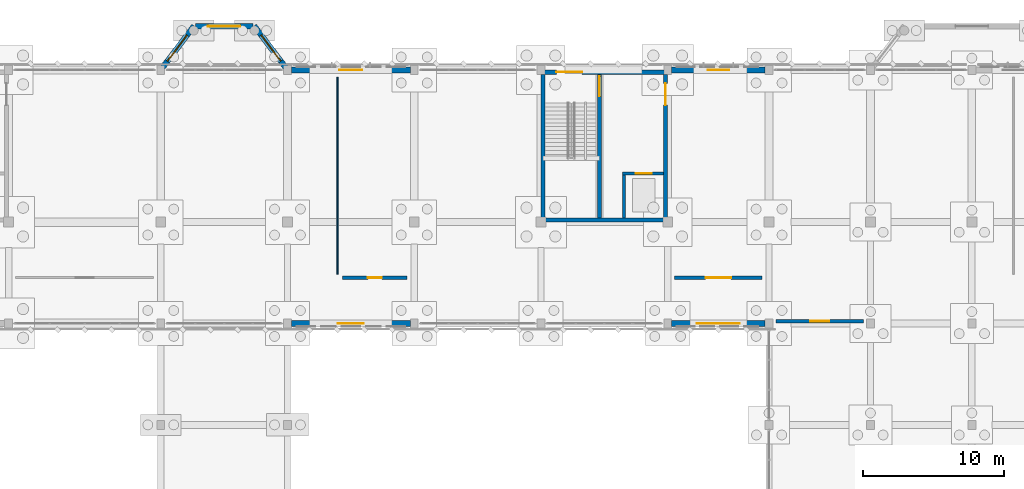
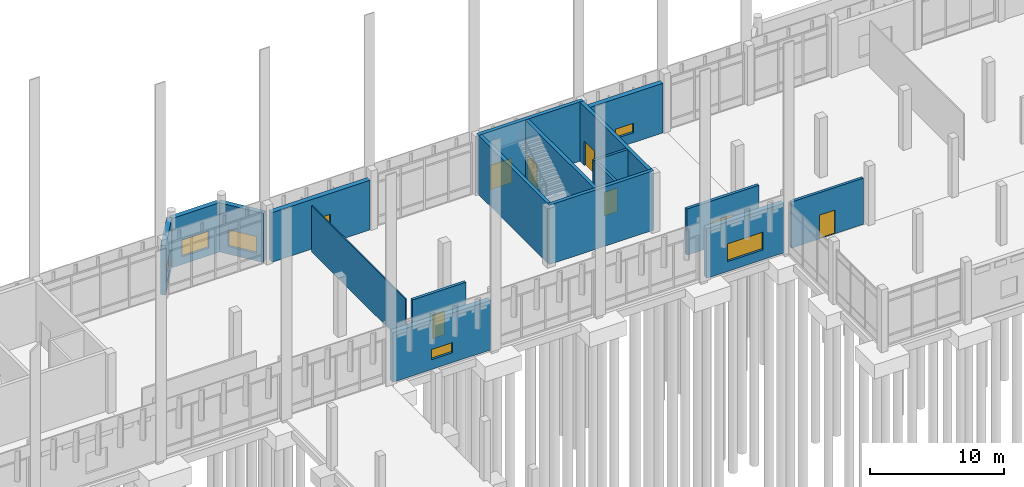
# One storey, part 88 of 109: 18 walls, 7 doors, 7 windows, 14 openings.
"""IFC4 building model written with IfcOpenShell, lengths in metres."""

from ifc_helpers import new_model, si_unit, direction, frame, frame_2d, origin, place, context, subcontext, project, spatial, rectangle, extrude, material, layer, layer_set, type_object, element, fill, save


model = new_model("IFC4")

# Units and contexts
model_context = context("Model", 3, precision=1e-05, world=origin(), true_north=direction((0.0, 1.0)))
body_context = subcontext(model_context, "Body", "Model", "MODEL_VIEW")
ifc_project = project(units=[si_unit("LENGTHUNIT", "METRE"), si_unit("AREAUNIT", "SQUARE_METRE"), si_unit("VOLUMEUNIT", "CUBIC_METRE"), si_unit("PLANEANGLEUNIT", "RADIAN"), si_unit("MASSUNIT", "GRAM", prefix="KILO")], contexts=[model_context])

# Site, building, storey
site_placement = place(None, origin())
site = spatial("IfcSite", under=ifc_project, at=site_placement, CompositionType="ELEMENT")
building_placement = place(site_placement, origin())
building = spatial("IfcBuilding", under=site, at=building_placement, Name="Lusvemor Sports Hall", CompositionType="ELEMENT")
storey_placement = place(building_placement, origin())
storey = spatial("IfcBuildingStorey", under=building, at=storey_placement, Name="L00", CompositionType="ELEMENT", Elevation=0.0)

# Wall, opening, window
ifc_material_1 = material(Name="Precast granite-faced Concrete C40/50 architectural cladding", Category="masonry")
ifc_layer_1 = layer(ifc_material_1, 0.39501953125)
ifc_layer_set_1 = layer_set([ifc_layer_1], Name="Precast granite-faced Concrete C40/50 architectural cladding")
wall_type_1 = type_object("IfcWallType", Name="EW_GRANITE_395", PredefinedType="STANDARD", material=ifc_layer_set_1)
wall_1_placement = place(storey_placement, frame((75.74462890625, 115.3916015625, 0.0), z_axis=(0.0, 0.0, 1.0), x_axis=(0.602445121118, 0.798160307233, 0.0)))
wall_1 = element("IfcWall", 1, at=wall_1_placement, inside=storey, type_object=wall_type_1, Name="Art Nouveau Bow Wall EW-BOW-N2-L00-1", PredefinedType="STANDARD", context=body_context, shape_type="SweptSolid", body=[
    extrude(rectangle(XDim=3.68603515625, YDim=0.39501953125, at=frame_2d((1.843017578125, 0.0))), origin(), (0.0, 0.0, 1.0), 4.47998046875),
])
opening_1_placement = place(wall_1_placement, frame((0.5419921875, 0.0, 0.699951171875)))
opening_1 = element("IfcOpeningElement", 2, at=opening_1_placement, cuts=wall_1, Name="Opening WN21", PredefinedType="OPENING", context=body_context, shape_type="SweptSolid", body=[
    extrude(rectangle(XDim=2.320068359375, YDim=1.52001953125, at=frame_2d((1.16015625, 0.760009765625))), frame((0.0, 0.197509765625, 0.0), z_axis=(0.0, -1.0, 0.0), x_axis=(1.0, 0.0, 0.0)), (0.0, 0.0, 1.0), 0.39501953125),
])
ifc_material_2 = material(Name="Solar-control laminated double glazing", Category="glass")
window_type_1 = type_object("IfcWindowType", Name="WIN_21", PartitioningType="SINGLE_PANEL", PredefinedType="WINDOW", material=ifc_material_2)
window_1_placement = place(opening_1_placement, origin())
window_1 = element("IfcWindow", 3, at=window_1_placement, inside=storey, type_object=window_type_1, Name="Art Nouveau Bow Window BOW-N2 L00-1", OverallHeight=1.52001953125, OverallWidth=2.320068359375, PartitioningType="SINGLE_PANEL", PredefinedType="WINDOW", context=body_context, shape_type="SweptSolid", body=[
    extrude(rectangle(XDim=2.320068359375, YDim=1.52001953125, at=frame_2d((1.16015625, 0.760009765625))), frame((0.0, 0.030029296875, 0.0), z_axis=(0.0, -1.0, 0.0), x_axis=(1.0, 0.0, 0.0)), (0.0, 0.0, 1.0), 0.06005859375),
])
fill(opening_1, window_1)

wall_2_placement = place(storey_placement, frame((78.06005859375, 118.300048828125, 0.0), z_axis=(0.0, 0.0, 1.0), x_axis=(1.0, 0.0, 0.0)))
wall_2 = element("IfcWall", 4, at=wall_2_placement, inside=storey, type_object=wall_type_1, Name="Art Nouveau Bow Wall EW-BOW-N2-L00-2", PredefinedType="STANDARD", context=body_context, shape_type="SweptSolid", body=[
    extrude(rectangle(XDim=4.079833984375, YDim=0.39501953125, at=frame_2d((2.0400390625, 0.0))), origin(), (0.0, 0.0, 1.0), 4.47998046875),
])
opening_2_placement = place(wall_2_placement, frame((0.8798828125, 0.0, 0.699951171875)))
opening_2 = element("IfcOpeningElement", 5, at=opening_2_placement, cuts=wall_2, Name="Opening WN21", PredefinedType="OPENING", context=body_context, shape_type="SweptSolid", body=[
    extrude(rectangle(XDim=2.320068359375, YDim=1.52001953125, at=frame_2d((1.16015625, 0.760009765625))), frame((0.0, 0.197509765625, 0.0), z_axis=(0.0, -1.0, 0.0), x_axis=(1.0, 0.0, 0.0)), (0.0, 0.0, 1.0), 0.39501953125),
])
window_2_placement = place(opening_2_placement, origin())
window_2 = element("IfcWindow", 6, at=window_2_placement, inside=storey, type_object=window_type_1, Name="Art Nouveau Bow Window BOW-N2 L00-2", OverallHeight=1.52001953125, OverallWidth=2.320068359375, PartitioningType="SINGLE_PANEL", PredefinedType="WINDOW", context=body_context, shape_type="SweptSolid", body=[
    extrude(rectangle(XDim=2.320068359375, YDim=1.52001953125, at=frame_2d((1.16015625, 0.760009765625))), frame((0.0, 0.030029296875, 0.0), z_axis=(0.0, -1.0, 0.0), x_axis=(1.0, 0.0, 0.0)), (0.0, 0.0, 1.0), 0.06005859375),
])
fill(opening_2, window_2)

wall_3_placement = place(storey_placement, frame((82.234619140625, 118.333740234375, 0.0), z_axis=(0.0, 0.0, 1.0), x_axis=(0.602445121118, -0.798160307233, 0.0)))
wall_3 = element("IfcWall", 7, at=wall_3_placement, inside=storey, type_object=wall_type_1, Name="Art Nouveau Bow Wall EW-BOW-N2-L00-3", PredefinedType="STANDARD", context=body_context, shape_type="SweptSolid", body=[
    extrude(rectangle(XDim=3.68603515625, YDim=0.39501953125, at=frame_2d((1.843017578125, 0.0))), origin(), (0.0, 0.0, 1.0), 4.47998046875),
])
opening_3_placement = place(wall_3_placement, frame((0.82421875, 0.0, 0.699951171875)))
opening_3 = element("IfcOpeningElement", 8, at=opening_3_placement, cuts=wall_3, Name="Opening WN21", PredefinedType="OPENING", context=body_context, shape_type="SweptSolid", body=[
    extrude(rectangle(XDim=2.320068359375, YDim=1.52001953125, at=frame_2d((1.16015625, 0.760009765625))), frame((0.0, 0.197509765625, 0.0), z_axis=(0.0, -1.0, 0.0), x_axis=(1.0, 0.0, 0.0)), (0.0, 0.0, 1.0), 0.39501953125),
])
window_3_placement = place(opening_3_placement, origin())
window_3 = element("IfcWindow", 9, at=window_3_placement, inside=storey, type_object=window_type_1, Name="Art Nouveau Bow Window BOW-N2 L00-3", OverallHeight=1.52001953125, OverallWidth=2.320068359375, PartitioningType="SINGLE_PANEL", PredefinedType="WINDOW", context=body_context, shape_type="SweptSolid", body=[
    extrude(rectangle(XDim=2.320068359375, YDim=1.52001953125, at=frame_2d((1.16015625, 0.760009765625))), frame((0.0, 0.030029296875, 0.0), z_axis=(0.0, -1.0, 0.0), x_axis=(1.0, 0.0, 0.0)), (0.0, 0.0, 1.0), 0.06005859375),
])
fill(opening_3, window_3)

ifc_material_3 = material(Name="Precast granite-faced Concrete C40/50 architectural cladding", Category="masonry")
ifc_layer_2 = layer(ifc_material_3, 0.419921875)
ifc_layer_set_2 = layer_set([ifc_layer_2], Name="Precast granite-faced Concrete C40/50 architectural cladding")
wall_type_2 = type_object("IfcWallType", Name="EW_GRANITE_420", PredefinedType="STANDARD", material=ifc_layer_set_2)
wall_4_placement = place(storey_placement, frame((84.8759765625, 115.199951171875, 0.0), z_axis=(0.0, 0.0, 1.0), x_axis=(1.0, 0.0, 0.0)))
wall_4 = element("IfcWall", 10, at=wall_4_placement, inside=storey, type_object=wall_type_2, Name="Exterior Wall EW-L00-N-1-8", PredefinedType="STANDARD", context=body_context, shape_type="SweptSolid", body=[
    extrude(rectangle(XDim=8.447998046875, YDim=0.419921875, at=frame_2d((4.22412109375, 0.0))), origin(), (0.0, 0.0, 1.0), 4.514892578125),
])
opening_4_placement = place(wall_4_placement, frame((3.4140625, 0.0, 0.89990234375)))
opening_4 = element("IfcOpeningElement", 11, at=opening_4_placement, cuts=wall_4, Name="Opening WN11", PredefinedType="OPENING", context=body_context, shape_type="SweptSolid", body=[
    extrude(rectangle(XDim=1.6201171875, YDim=1.719970703125, at=frame_2d((0.81005859375, 0.85986328125))), frame((0.0, 0.2099609375, 0.0), z_axis=(0.0, -1.0, 0.0), x_axis=(1.0, 0.0, 0.0)), (0.0, 0.0, 1.0), 0.419921875),
])
ifc_material_4 = material(Name="Solar-control laminated double glazing", Category="glass")
window_type_2 = type_object("IfcWindowType", Name="WIN_11", PartitioningType="SINGLE_PANEL", PredefinedType="WINDOW", material=ifc_material_4)
window_4_placement = place(opening_4_placement, origin())
window_4 = element("IfcWindow", 12, at=window_4_placement, inside=storey, type_object=window_type_2, Name="Wing Window L00-N-1-8", OverallHeight=1.719970703125, OverallWidth=1.6201171875, PartitioningType="SINGLE_PANEL", PredefinedType="WINDOW", context=body_context, shape_type="SweptSolid", body=[
    extrude(rectangle(XDim=1.6201171875, YDim=1.719970703125, at=frame_2d((0.81005859375, 0.85986328125))), frame((0.0, 0.030029296875, 0.0), z_axis=(0.0, -1.0, 0.0), x_axis=(1.0, 0.0, 0.0)), (0.0, 0.0, 1.0), 0.06005859375),
])
fill(opening_4, window_4)

wall_5_placement = place(storey_placement, frame((111.8759765625, 115.199951171875, 0.0), z_axis=(0.0, 0.0, 1.0), x_axis=(1.0, 0.0, 0.0)))
wall_5 = element("IfcWall", 13, at=wall_5_placement, inside=storey, type_object=wall_type_2, Name="Exterior Wall EW-L00-N-1-11", PredefinedType="STANDARD", context=body_context, shape_type="SweptSolid", body=[
    extrude(rectangle(XDim=6.64794921875, YDim=0.419921875, at=frame_2d((3.323974609375, 0.0))), origin(), (0.0, 0.0, 1.0), 4.514892578125),
])
opening_5_placement = place(wall_5_placement, frame((2.553955078125, 0.0, 0.89990234375)))
opening_5 = element("IfcOpeningElement", 14, at=opening_5_placement, cuts=wall_5, Name="Opening WN14", PredefinedType="OPENING", context=body_context, shape_type="SweptSolid", body=[
    extrude(rectangle(XDim=1.5400390625, YDim=0.860107421875, at=frame_2d((0.77001953125, 0.43017578125))), frame((0.0, 0.2099609375, 0.0), z_axis=(0.0, -1.0, 0.0), x_axis=(1.0, 0.0, 0.0)), (0.0, 0.0, 1.0), 0.419921875),
])
ifc_material_5 = material(Name="Solar-control laminated double glazing", Category="glass")
window_type_3 = type_object("IfcWindowType", Name="WIN_14", PartitioningType="SINGLE_PANEL", PredefinedType="WINDOW", material=ifc_material_5)
window_5_placement = place(opening_5_placement, origin())
window_5 = element("IfcWindow", 15, at=window_5_placement, inside=storey, type_object=window_type_3, Name="Wing Window L00-N-1-11", OverallHeight=0.860107421875, OverallWidth=1.5400390625, PartitioningType="SINGLE_PANEL", PredefinedType="WINDOW", context=body_context, shape_type="SweptSolid", body=[
    extrude(rectangle(XDim=1.5400390625, YDim=0.860107421875, at=frame_2d((0.77001953125, 0.43017578125))), frame((0.0, 0.030029296875, 0.0), z_axis=(0.0, -1.0, 0.0), x_axis=(1.0, 0.0, 0.0)), (0.0, 0.0, 1.0), 0.06005859375),
])
fill(opening_5, window_5)

wall_6_placement = place(storey_placement, frame((93.323974609375, 97.199951171875, 0.0), z_axis=(0.0, 0.0, 1.0), x_axis=(-1.0, 0.0, 0.0)))
wall_6 = element("IfcWall", 16, at=wall_6_placement, inside=storey, type_object=wall_type_2, Name="Exterior Wall EW-L00-S-3-6", PredefinedType="STANDARD", context=body_context, shape_type="SweptSolid", body=[
    extrude(rectangle(XDim=8.447998046875, YDim=0.419921875, at=frame_2d((4.22412109375, 0.0))), origin(), (0.0, 0.0, 1.0), 4.514892578125),
])
opening_6_placement = place(wall_6_placement, frame((3.303955078125, 0.0, 0.89990234375)))
opening_6 = element("IfcOpeningElement", 17, at=opening_6_placement, cuts=wall_6, Name="Opening WN13", PredefinedType="OPENING", context=body_context, shape_type="SweptSolid", body=[
    extrude(rectangle(XDim=1.840087890625, YDim=0.919921875, at=frame_2d((0.919921875, 0.4599609375))), frame((0.0, 0.2099609375, 0.0), z_axis=(0.0, -1.0, 0.0), x_axis=(1.0, 0.0, 0.0)), (0.0, 0.0, 1.0), 0.419921875),
])
ifc_material_6 = material(Name="Solar-control laminated double glazing", Category="glass")
window_type_4 = type_object("IfcWindowType", Name="WIN_13", PartitioningType="SINGLE_PANEL", PredefinedType="WINDOW", material=ifc_material_6)
window_6_placement = place(opening_6_placement, origin())
window_6 = element("IfcWindow", 18, at=window_6_placement, inside=storey, type_object=window_type_4, Name="Wing Window L00-S-3-6", OverallHeight=0.919921875, OverallWidth=1.840087890625, PartitioningType="SINGLE_PANEL", PredefinedType="WINDOW", context=body_context, shape_type="SweptSolid", body=[
    extrude(rectangle(XDim=1.840087890625, YDim=0.919921875, at=frame_2d((0.919921875, 0.4599609375))), frame((0.0, 0.030029296875, 0.0), z_axis=(0.0, -1.0, 0.0), x_axis=(1.0, 0.0, 0.0)), (0.0, 0.0, 1.0), 0.06005859375),
])
fill(opening_6, window_6)

wall_7_placement = place(storey_placement, frame((118.52392578125, 97.199951171875, 0.0), z_axis=(0.0, 0.0, 1.0), x_axis=(-1.0, 0.0, 0.0)))
wall_7 = element("IfcWall", 19, at=wall_7_placement, inside=storey, type_object=wall_type_2, Name="Exterior Wall EW-L00-S-3-9", PredefinedType="STANDARD", context=body_context, shape_type="SweptSolid", body=[
    extrude(rectangle(XDim=6.64794921875, YDim=0.419921875, at=frame_2d((3.323974609375, 0.0))), origin(), (0.0, 0.0, 1.0), 4.514892578125),
])
opening_7_placement = place(wall_7_placement, frame((1.799072265625, 0.0, 0.89990234375)))
opening_7 = element("IfcOpeningElement", 20, at=opening_7_placement, cuts=wall_7, Name="Opening WN16", PredefinedType="OPENING", context=body_context, shape_type="SweptSolid", body=[
    extrude(rectangle(XDim=3.050048828125, YDim=1.6201171875, at=frame_2d((1.52490234375, 0.81005859375))), frame((0.0, 0.2099609375, 0.0), z_axis=(0.0, -1.0, 0.0), x_axis=(1.0, 0.0, 0.0)), (0.0, 0.0, 1.0), 0.419921875),
])
ifc_material_7 = material(Name="Solar-control laminated double glazing", Category="glass")
window_type_5 = type_object("IfcWindowType", Name="WIN_16", PartitioningType="SINGLE_PANEL", PredefinedType="WINDOW", material=ifc_material_7)
window_7_placement = place(opening_7_placement, origin())
window_7 = element("IfcWindow", 21, at=window_7_placement, inside=storey, type_object=window_type_5, Name="Wing Window L00-S-3-9", OverallHeight=1.6201171875, OverallWidth=3.050048828125, PartitioningType="SINGLE_PANEL", PredefinedType="WINDOW", context=body_context, shape_type="SweptSolid", body=[
    extrude(rectangle(XDim=3.050048828125, YDim=1.6201171875, at=frame_2d((1.52490234375, 0.81005859375))), frame((0.0, 0.030029296875, 0.0), z_axis=(0.0, -1.0, 0.0), x_axis=(1.0, 0.0, 0.0)), (0.0, 0.0, 1.0), 0.06005859375),
])
fill(opening_7, window_7)

# Wall, opening, door
ifc_material_8 = material(Name="Plastered ceramic masonry blockwork", Category="masonry")
ifc_layer_3 = layer(ifc_material_8, 0.25)
ifc_layer_set_3 = layer_set([ifc_layer_3], Name="Plastered ceramic masonry blockwork")
wall_type_3 = type_object("IfcWallType", Name="IW_COMP_248", PredefinedType="STANDARD", material=ifc_layer_set_3)
wall_8_placement = place(storey_placement, frame((112.10009765625, 100.449951171875, 0.0), z_axis=(0.0, 0.0, 1.0), x_axis=(1.0, 0.0, 0.0)))
wall_8 = element("IfcWall", 22, at=wall_8_placement, inside=storey, type_object=wall_type_3, Name="Partition IW-L00-CNN-PLF1", PredefinedType="STANDARD", context=body_context, shape_type="SweptSolid", body=[
    extrude(rectangle(XDim=6.199951171875, YDim=0.25, at=frame_2d((3.10009765625, 0.0))), origin(), (0.0, 0.0, 1.0), 4.199951171875),
])
opening_8_placement = place(wall_8_placement, frame((2.199951171875, 0.0, 0.0)))
opening_8 = element("IfcOpeningElement", 23, at=opening_8_placement, cuts=wall_8, Name="Opening DR-FD60-02", PredefinedType="OPENING", context=body_context, shape_type="SweptSolid", body=[
    extrude(rectangle(XDim=1.800048828125, YDim=2.300048828125, at=frame_2d((0.89990234375, 1.14990234375))), frame((0.0, 0.125, 0.0), z_axis=(0.0, -1.0, 0.0), x_axis=(1.0, 0.0, 0.0)), (0.0, 0.0, 1.0), 0.25),
])
ifc_material_9 = material(Name="Fire-rated insulated painted steel door assembly", Category="steel")
door_type_1 = type_object("IfcDoorType", Name="IDR_PLANT_FD60_180", OperationType="NOTDEFINED", PredefinedType="DOOR", material=ifc_material_9)
door_1_placement = place(opening_8_placement, origin())
door_1 = element("IfcDoor", 24, at=door_1_placement, inside=storey, type_object=door_type_1, Name="DR-164", OperationType="SINGLE_SWING_RIGHT", OverallHeight=2.300048828125, OverallWidth=1.800048828125, PredefinedType="DOOR", context=body_context, shape_type="SweptSolid", body=[
    extrude(rectangle(XDim=1.800048828125, YDim=2.300048828125, at=frame_2d((0.89990234375, 1.14990234375))), frame((0.0, 0.02490234375, 0.0), z_axis=(0.0, -1.0, 0.0), x_axis=(1.0, 0.0, 0.0)), (0.0, 0.0, 1.0), 0.050048828125),
])
fill(opening_8, door_1)

# Wall
ifc_material_10 = material(Name="Double-leaf acoustic gypsum board on metal studs")
ifc_layer_4 = layer(ifc_material_10, 0.10009765625)
ifc_layer_set_4 = layer_set([ifc_layer_4], Name="Double-leaf acoustic gypsum board on metal studs")
wall_type_4 = type_object("IfcWallType", Name="IW_PART_108", PredefinedType="STANDARD", material=ifc_layer_set_4)
wall_9_placement = place(storey_placement, frame((88.14990234375, 100.699951171875, 0.0), z_axis=(0.0, 0.0, 1.0), x_axis=(0.0, 1.0, 0.0)))
element("IfcWall", 25, at=wall_9_placement, inside=storey, type_object=wall_type_4, Name="Partition IW-L00-CNNDIV-88", PredefinedType="STANDARD", context=body_context, shape_type="SweptSolid", body=[
    extrude(rectangle(XDim=14.0, YDim=0.10009765625, at=frame_2d((7.0, 0.0))), origin(), (0.0, 0.0, 1.0), 4.199951171875),
])

# Wall, opening, door
ifc_material_11 = material(Name="Concrete C40/50", Category="concrete")
ifc_layer_5 = layer(ifc_material_11, 0.2099609375)
ifc_layer_set_5 = layer_set([ifc_layer_5], Name="Concrete C40/50")
wall_type_5 = type_object("IfcWallType", Name="IW_SHFT_212", PredefinedType="STANDARD", material=ifc_layer_set_5)
wall_10_placement = place(storey_placement, frame((108.389892578125, 107.85009765625, 0.0), z_axis=(0.0, 0.0, 1.0), x_axis=(1.0, 0.0, 0.0)))
wall_10 = element("IfcWall", 26, at=wall_10_placement, inside=storey, type_object=wall_type_5, Name="Lift LF-02 Shaft Front Wall (L00)", PredefinedType="STANDARD", context=body_context, shape_type="SweptSolid", body=[
    extrude(rectangle(XDim=2.91015625, YDim=0.2099609375, at=frame_2d((1.455078125, 0.0))), origin(), (0.0, 0.0, 1.0), 5.39990234375),
])
opening_9_placement = place(wall_10_placement, frame((0.93994140625, 0.0, 0.0)))
opening_9 = element("IfcOpeningElement", 27, at=opening_9_placement, cuts=wall_10, Name="Opening LD-01", PredefinedType="OPENING", context=body_context, shape_type="SweptSolid", body=[
    extrude(rectangle(XDim=1.139892578125, YDim=2.159912109375, at=frame_2d((0.56982421875, 1.080078125))), frame((0.0, 0.10498046875, 0.0), z_axis=(0.0, -1.0, 0.0), x_axis=(1.0, 0.0, 0.0)), (0.0, 0.0, 1.0), 0.2099609375),
])
ifc_material_12 = material(Name="Brushed stainless-steel sliding lift landing door", Category="steel")
door_type_2 = type_object("IfcDoorType", Name="LIFT_DOOR_FF_114", OperationType="NOTDEFINED", PredefinedType="DOOR", material=ifc_material_12)
door_2_placement = place(opening_9_placement, origin())
door_2 = element("IfcDoor", 28, at=door_2_placement, inside=storey, type_object=door_type_2, Name="DR-083", OperationType="SLIDING_TO_LEFT", OverallHeight=2.159912109375, OverallWidth=1.139892578125, PredefinedType="DOOR", context=body_context, shape_type="SweptSolid", body=[
    extrude(rectangle(XDim=1.139892578125, YDim=2.159912109375, at=frame_2d((0.56982421875, 1.080078125))), frame((0.0, 0.02490234375, 0.0), z_axis=(0.0, -1.0, 0.0), x_axis=(1.0, 0.0, 0.0)), (0.0, 0.0, 1.0), 0.050048828125),
])
fill(opening_9, door_2)

# Wall
wall_11_placement = place(storey_placement, frame((108.4951171875, 104.699951171875, 0.0), z_axis=(0.0, 0.0, 1.0), x_axis=(0.0, 1.0, 0.0)))
element("IfcWall", 29, at=wall_11_placement, inside=storey, type_object=wall_type_5, Name="Lift LF-02 Shaft Side Wall (L00)", PredefinedType="STANDARD", context=body_context, shape_type="SweptSolid", body=[
    extrude(rectangle(XDim=3.045166015625, YDim=0.2099609375, at=frame_2d((1.5224609375, 0.0))), origin(), (0.0, 0.0, 1.0), 5.39990234375),
])

# Wall, opening, door
ifc_material_13 = material(Name="Moisture-resistant tiled plumbing service wall")
ifc_layer_6 = layer(ifc_material_13, 0.239990234375)
ifc_layer_set_6 = layer_set([ifc_layer_6], Name="Moisture-resistant tiled plumbing service wall")
wall_type_6 = type_object("IfcWallType", Name="PW_WET_176", PredefinedType="PLUMBINGWALL", material=ifc_layer_set_6)
wall_12_placement = place(storey_placement, frame((88.5, 100.449951171875, 0.0), z_axis=(0.0, 0.0, 1.0), x_axis=(1.0, 0.0, 0.0)))
wall_12 = element("IfcWall", 30, at=wall_12_placement, inside=storey, type_object=wall_type_6, Name="Partition IW-L00-CNN-AWCN", PredefinedType="PLUMBINGWALL", context=body_context, shape_type="SweptSolid", body=[
    extrude(rectangle(XDim=4.60009765625, YDim=0.239990234375, at=frame_2d((2.300048828125, 0.0))), origin(), (0.0, 0.0, 1.0), 4.199951171875),
])
opening_10_placement = place(wall_12_placement, frame((1.800048828125, 0.0, 0.0)))
opening_10 = element("IfcOpeningElement", 31, at=opening_10_placement, cuts=wall_12, Name="Opening ID11", PredefinedType="OPENING", context=body_context, shape_type="SweptSolid", body=[
    extrude(rectangle(XDim=1.0, YDim=2.14990234375, at=frame_2d((0.5, 1.074951171875))), frame((0.0, 0.1201171875, 0.0), z_axis=(0.0, -1.0, 0.0), x_axis=(1.0, 0.0, 0.0)), (0.0, 0.0, 1.0), 0.239990234375),
])
ifc_material_14 = material(Name="Acoustic solid-core hardwood door leaf in steel frame", Category="steel")
door_type_3 = type_object("IfcDoorType", Name="IDR_AWC_100", OperationType="NOTDEFINED", PredefinedType="DOOR", material=ifc_material_14)
door_3_placement = place(opening_10_placement, origin())
door_3 = element("IfcDoor", 32, at=door_3_placement, inside=storey, type_object=door_type_3, Name="DR-163", OperationType="SINGLE_SWING_LEFT", OverallHeight=2.14990234375, OverallWidth=1.0, PredefinedType="DOOR", context=body_context, shape_type="SweptSolid", body=[
    extrude(rectangle(XDim=1.0, YDim=2.14990234375, at=frame_2d((0.5, 1.074951171875))), frame((0.0, 0.02490234375, 0.0), z_axis=(0.0, -1.0, 0.0), x_axis=(1.0, 0.0, 0.0)), (0.0, 0.0, 1.0), 0.050048828125),
])
fill(opening_10, door_3)

ifc_material_15 = material(Name="Moisture-resistant tiled plumbing service wall")
ifc_layer_7 = layer(ifc_material_15, 0.22998046875)
ifc_layer_set_7 = layer_set([ifc_layer_7], Name="Moisture-resistant tiled plumbing service wall")
wall_type_7 = type_object("IfcWallType", Name="PW_WET_234", PredefinedType="PLUMBINGWALL", material=ifc_layer_set_7)
wall_13_placement = place(storey_placement, frame((119.300048828125, 97.35009765625, 0.0), z_axis=(0.0, 0.0, 1.0), x_axis=(1.0, 0.0, 0.0)))
wall_13 = element("IfcWall", 33, at=wall_13_placement, inside=storey, type_object=wall_type_7, Name="Partition IW-L00-NE-CHG", PredefinedType="PLUMBINGWALL", context=body_context, shape_type="SweptSolid", body=[
    extrude(rectangle(XDim=6.199951171875, YDim=0.22998046875, at=frame_2d((3.10009765625, 0.0))), origin(), (0.0, 0.0, 1.0), 4.199951171875),
])
opening_11_placement = place(wall_13_placement, frame((2.43994140625, 0.0, 0.0)))
opening_11 = element("IfcOpeningElement", 34, at=opening_11_placement, cuts=wall_13, Name="Opening ID09", PredefinedType="OPENING", context=body_context, shape_type="SweptSolid", body=[
    extrude(rectangle(XDim=1.320068359375, YDim=2.159912109375, at=frame_2d((0.66015625, 1.080078125))), frame((0.0, 0.114990234375, 0.0), z_axis=(0.0, -1.0, 0.0), x_axis=(1.0, 0.0, 0.0)), (0.0, 0.0, 1.0), 0.22998046875),
])
ifc_material_16 = material(Name="Acoustic solid-core hardwood door leaf in steel frame", Category="steel")
door_type_4 = type_object("IfcDoorType", Name="IDR_CHG_132", OperationType="NOTDEFINED", PredefinedType="DOOR", material=ifc_material_16)
door_4_placement = place(opening_11_placement, origin())
door_4 = element("IfcDoor", 35, at=door_4_placement, inside=storey, type_object=door_type_4, Name="DR-166", OperationType="SINGLE_SWING_RIGHT", OverallHeight=2.159912109375, OverallWidth=1.320068359375, PredefinedType="DOOR", context=body_context, shape_type="SweptSolid", body=[
    extrude(rectangle(XDim=1.320068359375, YDim=2.159912109375, at=frame_2d((0.66015625, 1.080078125))), frame((0.0, 0.02490234375, 0.0), z_axis=(0.0, -1.0, 0.0), x_axis=(1.0, 0.0, 0.0)), (0.0, 0.0, 1.0), 0.050048828125),
])
fill(opening_11, door_4)

# Walls
ifc_material_17 = material(Name="Concrete C40/50", Category="concrete")
ifc_layer_8 = layer(ifc_material_17, 0.300048828125)
ifc_layer_set_8 = layer_set([ifc_layer_8], Name="Concrete C40/50")
wall_type_8 = type_object("IfcWallType", Name="WALL_CORE_300_INT", PredefinedType="SHEAR", material=ifc_layer_set_8)
wall_14_placement = place(storey_placement, frame((111.60009765625, 104.550048828125, 0.0), z_axis=(0.0, 0.0, 1.0), x_axis=(-1.0, 0.0, 0.0)))
element("IfcWall", 36, at=wall_14_placement, inside=storey, type_object=wall_type_8, Name="Core C4 North-Central Shear Wall S (L00)", PredefinedType="SHEAR", context=body_context, shape_type="SweptSolid", body=[
    extrude(rectangle(XDim=9.0, YDim=0.300048828125, at=frame_2d((4.5, 0.0))), origin(), (0.0, 0.0, 1.0), 5.39990234375),
])
wall_15_placement = place(storey_placement, frame((102.75, 104.699951171875, 0.0), z_axis=(0.0, 0.0, 1.0), x_axis=(0.0, 1.0, 0.0)))
element("IfcWall", 37, at=wall_15_placement, inside=storey, type_object=wall_type_8, Name="Core C4 North-Central Shear Wall W (L00)", PredefinedType="SHEAR", context=body_context, shape_type="SweptSolid", body=[
    extrude(rectangle(XDim=10.199951171875, YDim=0.300048828125, at=frame_2d((5.10009765625, 0.0))), origin(), (0.0, 0.0, 1.0), 5.39990234375),
])

# Wall, opening, door
wall_16_placement = place(storey_placement, frame((111.449951171875, 114.89990234375, 0.0), z_axis=(0.0, 0.0, 1.0), x_axis=(0.0, -1.0, 0.0)))
wall_16 = element("IfcWall", 38, at=wall_16_placement, inside=storey, type_object=wall_type_8, Name="Core C4 North-Central Shear Wall E (L00)", PredefinedType="SHEAR", context=body_context, shape_type="SweptSolid", body=[
    extrude(rectangle(XDim=10.199951171875, YDim=0.300048828125, at=frame_2d((5.10009765625, 0.0))), origin(), (0.0, 0.0, 1.0), 5.39990234375),
])
opening_12_placement = place(wall_16_placement, frame((0.64990234375, 0.0, 0.0)))
opening_12 = element("IfcOpeningElement", 39, at=opening_12_placement, cuts=wall_16, Name="Opening DR-FD60-01", PredefinedType="OPENING", context=body_context, shape_type="SweptSolid", body=[
    extrude(rectangle(XDim=1.5400390625, YDim=2.219970703125, at=frame_2d((0.77001953125, 1.10986328125))), frame((0.0, 0.14990234375, 0.0), z_axis=(0.0, -1.0, 0.0), x_axis=(1.0, 0.0, 0.0)), (0.0, 0.0, 1.0), 0.300048828125),
])
ifc_material_18 = material(Name="Fire-rated insulated painted steel door assembly", Category="steel")
door_type_5 = type_object("IfcDoorType", Name="IDR_LOBBY_FD60_154", OperationType="NOTDEFINED", PredefinedType="DOOR", material=ifc_material_18)
door_5_placement = place(opening_12_placement, origin())
door_5 = element("IfcDoor", 40, at=door_5_placement, inside=storey, type_object=door_type_5, Name="DR-089", OperationType="SINGLE_SWING_LEFT", OverallHeight=2.219970703125, OverallWidth=1.5400390625, PredefinedType="DOOR", context=body_context, shape_type="SweptSolid", body=[
    extrude(rectangle(XDim=1.5400390625, YDim=2.219970703125, at=frame_2d((0.77001953125, 1.10986328125))), frame((0.0, 0.02490234375, 0.0), z_axis=(0.0, -1.0, 0.0), x_axis=(1.0, 0.0, 0.0)), (0.0, 0.0, 1.0), 0.050048828125),
])
fill(opening_12, door_5)

wall_17_placement = place(storey_placement, frame((106.75, 104.699951171875, 0.0), z_axis=(0.0, 0.0, 1.0), x_axis=(0.0, 1.0, 0.0)))
wall_17 = element("IfcWall", 41, at=wall_17_placement, inside=storey, type_object=wall_type_8, Name="Core C4 North-Central Shear Wall M (L00)", PredefinedType="SHEAR", context=body_context, shape_type="SweptSolid", body=[
    extrude(rectangle(XDim=10.199951171875, YDim=0.300048828125, at=frame_2d((5.10009765625, 0.0))), origin(), (0.0, 0.0, 1.0), 5.39990234375),
])
opening_13_placement = place(wall_17_placement, frame((8.6298828125, 0.0, 0.0)))
opening_13 = element("IfcOpeningElement", 42, at=opening_13_placement, cuts=wall_17, Name="Opening DR-FD90-01", PredefinedType="OPENING", context=body_context, shape_type="SweptSolid", body=[
    extrude(rectangle(XDim=1.419921875, YDim=2.199951171875, at=frame_2d((0.7099609375, 1.10009765625))), frame((0.0, 0.14990234375, 0.0), z_axis=(0.0, -1.0, 0.0), x_axis=(1.0, 0.0, 0.0)), (0.0, 0.0, 1.0), 0.300048828125),
])
ifc_material_19 = material(Name="Fire-rated insulated painted steel door assembly", Category="steel")
door_type_6 = type_object("IfcDoorType", Name="IDR_STAIR_FD90_142", OperationType="NOTDEFINED", PredefinedType="DOOR", material=ifc_material_19)
door_6_placement = place(opening_13_placement, origin())
door_6 = element("IfcDoor", 43, at=door_6_placement, inside=storey, type_object=door_type_6, Name="DR-088", OperationType="SINGLE_SWING_RIGHT", OverallHeight=2.199951171875, OverallWidth=1.419921875, PredefinedType="DOOR", context=body_context, shape_type="SweptSolid", body=[
    extrude(rectangle(XDim=1.419921875, YDim=2.199951171875, at=frame_2d((0.7099609375, 1.10009765625))), frame((0.0, 0.02490234375, 0.0), z_axis=(0.0, -1.0, 0.0), x_axis=(1.0, 0.0, 0.0)), (0.0, 0.0, 1.0), 0.050048828125),
])
fill(opening_13, door_6)

ifc_material_20 = material(Name="Concrete C40/50", Category="concrete")
ifc_layer_9 = layer(ifc_material_20, 0.324951171875)
ifc_layer_set_9 = layer_set([ifc_layer_9], Name="Concrete C40/50")
wall_type_9 = type_object("IfcWallType", Name="WALL_CORE_325_EXT", PredefinedType="SHEAR", material=ifc_layer_set_9)
wall_18_placement = place(storey_placement, frame((102.60009765625, 115.050048828125, 0.0), z_axis=(0.0, 0.0, 1.0), x_axis=(1.0, 0.0, 0.0)))
wall_18 = element("IfcWall", 44, at=wall_18_placement, inside=storey, type_object=wall_type_9, Name="Core C4 North-Central Shear Wall N (L00)", PredefinedType="SHEAR", context=body_context, shape_type="SweptSolid", body=[
    extrude(rectangle(XDim=9.0, YDim=0.324951171875, at=frame_2d((4.5, 0.0))), origin(), (0.0, 0.0, 1.0), 5.39990234375),
])
opening_14_placement = place(wall_18_placement, frame((1.10009765625, 0.0, 0.0)))
opening_14 = element("IfcOpeningElement", 45, at=opening_14_placement, cuts=wall_18, Name="Opening ED04", PredefinedType="OPENING", context=body_context, shape_type="SweptSolid", body=[
    extrude(rectangle(XDim=1.820068359375, YDim=2.219970703125, at=frame_2d((0.91015625, 1.10986328125))), frame((0.0, 0.16259765625, 0.0), z_axis=(0.0, -1.0, 0.0), x_axis=(1.0, 0.0, 0.0)), (0.0, 0.0, 1.0), 0.324951171875),
])
ifc_material_21 = material(Name="Thermally broken bronze-anodized aluminium", Category="aluminium")
door_type_7 = type_object("IfcDoorType", Name="EDR_STAIR_EXIT_182x222", OperationType="NOTDEFINED", PredefinedType="DOOR", material=ifc_material_21)
door_7_placement = place(opening_14_placement, origin())
door_7 = element("IfcDoor", 46, at=door_7_placement, inside=storey, type_object=door_type_7, Name="DR-004", OperationType="SINGLE_SWING_RIGHT", OverallHeight=2.219970703125, OverallWidth=1.820068359375, PredefinedType="DOOR", context=body_context, shape_type="SweptSolid", body=[
    extrude(rectangle(XDim=1.820068359375, YDim=2.219970703125, at=frame_2d((0.91015625, 1.10986328125))), frame((0.0, 0.02490234375, 0.0), z_axis=(0.0, -1.0, 0.0), x_axis=(1.0, 0.0, 0.0)), (0.0, 0.0, 1.0), 0.050048828125),
])
fill(opening_14, door_7)

save(model, "model.ifc")
